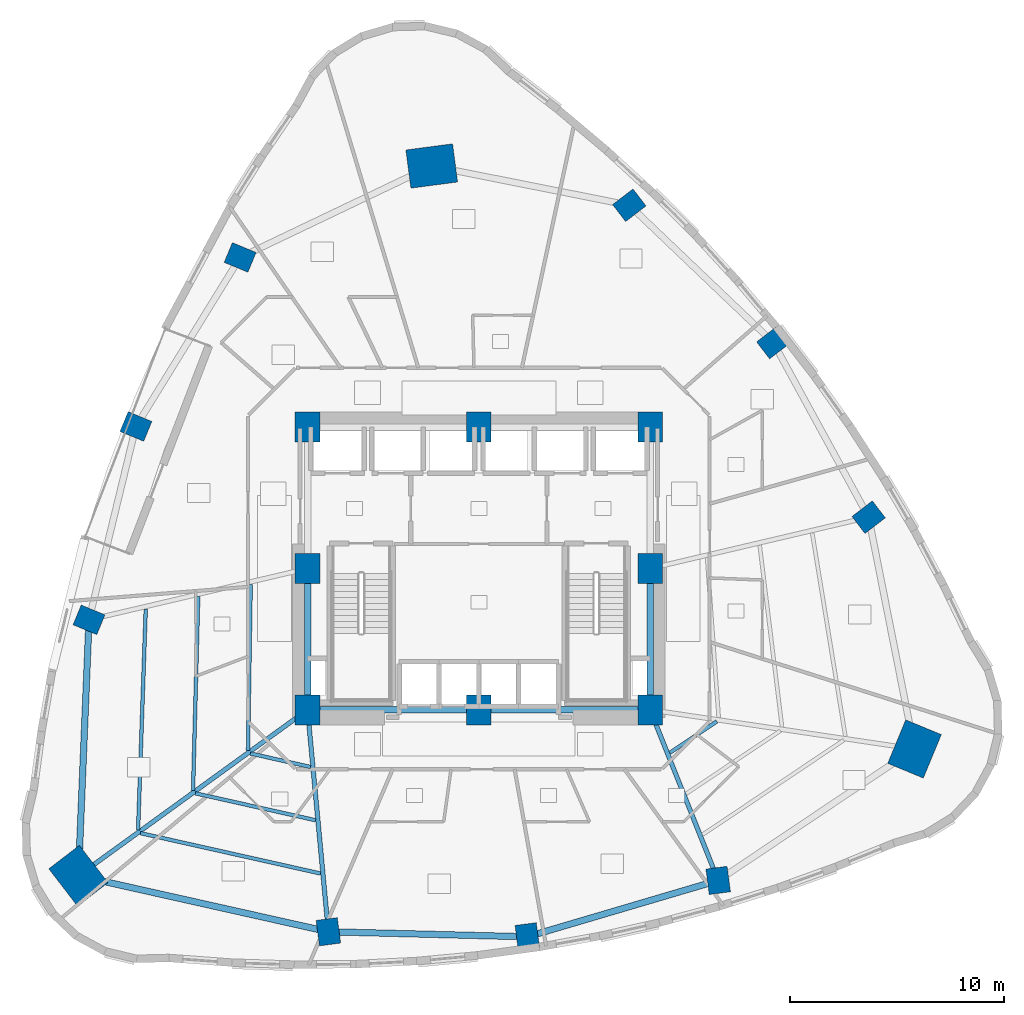
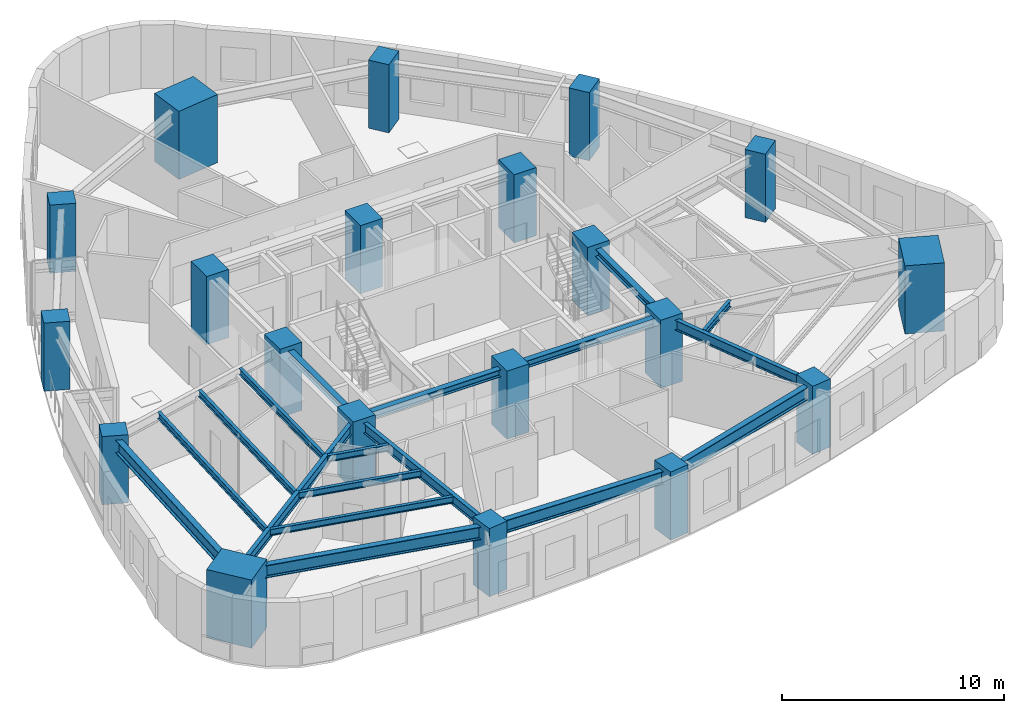
# One storey, part 1 of 12: 20 columns, 18 beams.
"""IFC4 building model written with IfcOpenShell, lengths in metres."""

from ifc_helpers import new_model, si_unit, direction, frame, origin, origin_2d, place, context, subcontext, project, spatial, rectangle, i_section, extrude, material, material_profile, profile_set, type_object, element, save


model = new_model("IFC4")

# Units and contexts
model_context = context("Model", 3, precision=1e-05, world=origin(), true_north=direction((0.0, 1.0)))
body_context = subcontext(model_context, "Body", "Model", "MODEL_VIEW")
ifc_project = project(units=[si_unit("LENGTHUNIT", "METRE"), si_unit("AREAUNIT", "SQUARE_METRE"), si_unit("VOLUMEUNIT", "CUBIC_METRE"), si_unit("PLANEANGLEUNIT", "RADIAN"), si_unit("MASSUNIT", "GRAM", prefix="KILO")], contexts=[model_context])

# Site, building, storey
site_placement = place(None, origin())
site = spatial("IfcSite", under=ifc_project, at=site_placement, CompositionType="ELEMENT")
building_placement = place(site_placement, origin())
building = spatial("IfcBuilding", under=site, at=building_placement, Name="Ndelora Gate Hotel", CompositionType="ELEMENT")
storey_placement = place(building_placement, frame((0.0, 0.0, 68.0)))
storey = spatial("IfcBuildingStorey", under=building, at=storey_placement, Name="L16", CompositionType="ELEMENT", Elevation=68.0)

# Columns
ifc_material_1 = material(Name="Concrete C60/75", Category="concrete")
ifc_material_profile_1 = material_profile(ifc_material_1, rectangle(XDim=1.14990234375, YDim=1.39990234375, at=origin_2d()), Name="RC 1400x1150")
ifc_profile_set_1 = profile_set([ifc_material_profile_1], Name="Concrete C60/75")
column_type_1 = type_object("IfcColumnType", Name="COL-CC-LOW", PredefinedType="COLUMN", material=ifc_profile_set_1)
for number, where, z_axis, x_axis, name in (
    (1, (-8.0, -6.60009765625, 0.0), (0.0, 0.0, 1.0), (1.0, 0.0, 0.0), "L16 Core Column CC1"),
    (2, (0.0, -6.60009765625, 0.0), (0.0, 0.0, 1.0), (1.0, 0.0, 0.0), "L16 Core Column CC2"),
    (3, (8.0, -6.60009765625, 0.0), (0.0, 0.0, 1.0), (1.0, 0.0, 0.0), "L16 Core Column CC3"),
    (4, (8.0, 0.0, 0.0), (0.0, 0.0, 1.0), (1.0, 0.0, 0.0), "L16 Core Column CC4"),
    (5, (8.0, 6.60009765625, 0.0), (0.0, 0.0, 1.0), (1.0, 0.0, 0.0), "L16 Core Column CC5"),
    (6, (0.0, 6.60009765625, 0.0), (0.0, 0.0, 1.0), (1.0, 0.0, 0.0), "L16 Core Column CC6"),
    (7, (-8.0, 6.60009765625, 0.0), (0.0, 0.0, 1.0), (1.0, 0.0, 0.0), "L16 Core Column CC7"),
    (8, (-8.0, 0.0, 0.0), (0.0, 0.0, 1.0), (1.0, 0.0, 0.0), "L16 Core Column CC8"),
):
    element("IfcColumn", number, at=place(storey_placement, frame(where, z_axis=z_axis, x_axis=x_axis)), inside=storey, type_object=column_type_1, Name=name, PredefinedType="COLUMN", context=body_context, shape_type="SweptSolid", body=[
        extrude(rectangle(XDim=1.14990234375, YDim=1.39990234375, at=origin_2d()), origin(), (0.0, 0.0, 1.0), 3.75),
    ])
ifc_material_profile_2 = material_profile(ifc_material_1, rectangle(XDim=1.800048828125, YDim=2.199951171875, at=origin_2d()), Name="RC 2200x1800")
ifc_profile_set_2 = profile_set([ifc_material_profile_2], Name="Concrete C60/75")
column_type_2 = type_object("IfcColumnType", Name="COL-MC-Z1", PredefinedType="COLUMN", material=ifc_profile_set_2)
for number, where, z_axis, x_axis, name in (
    (9, (-2.199951171875, 18.800048828125, 0.0), (0.0, 0.0, 1.0), (-0.13052619222, 0.991444861374, 0.0), "L16 Corner Mega-Column R1"),
    (10, (-18.701904296875, -14.3505859375, 0.0), (0.0, 0.0, 1.0), (0.793353340291, 0.608761429009, 0.0), "L16 Corner Mega-Column R5"),
    (11, (20.35009765625, -8.42919921875, 0.0), (0.0, 0.0, 1.0), (-0.923879532511, 0.382683432365, 0.0), "L16 Corner Mega-Column R9"),
):
    element("IfcColumn", number, at=place(storey_placement, frame(where, z_axis=z_axis, x_axis=x_axis)), inside=storey, type_object=column_type_2, Name=name, PredefinedType="COLUMN", context=body_context, shape_type="SweptSolid", body=[
        extrude(rectangle(XDim=1.800048828125, YDim=2.199951171875, at=origin_2d()), origin(), (0.0, 0.0, 1.0), 3.75),
    ])
ifc_material_profile_3 = material_profile(ifc_material_1, rectangle(XDim=1.0, YDim=1.199951171875, at=origin_2d()), Name="RC 1200x1000")
ifc_profile_set_3 = profile_set([ifc_material_profile_3], Name="Concrete C60/75")
column_type_3 = type_object("IfcColumnType", Name="COL-PT-Z1", PredefinedType="COLUMN", material=ifc_profile_set_3)
for number, where, z_axis, x_axis, name in (
    (12, (-11.1484375, 14.529052734375, 0.0), (0.0, 0.0, 1.0), (0.382683432365, 0.923879532511, 0.0), "L16 Perimeter Tube Column R2"),
    (13, (-16.016845703125, 6.634521484375, 0.0), (0.0, 0.0, 1.0), (0.382683432365, 0.923879532511, 0.0), "L16 Perimeter Tube Column R3"),
    (14, (-18.207275390625, -2.39697265625, 0.0), (0.0, 0.0, 1.0), (0.382683432365, 0.923879532511, 0.0), "L16 Perimeter Tube Column R4"),
    (15, (-7.027587890625, -16.96630859375, 0.0), (0.0, 0.0, 1.0), (0.991444861374, 0.13052619222, 0.0), "L16 Perimeter Tube Column R6"),
    (16, (2.2646484375, -17.20166015625, 0.0), (0.0, 0.0, 1.0), (0.991444861374, 0.13052619222, 0.0), "L16 Perimeter Tube Column R7"),
    (17, (11.179443359375, -14.5693359375, 0.0), (0.0, 0.0, 1.0), (0.991444861374, 0.13052619222, 0.0), "L16 Perimeter Tube Column R8"),
    (18, (18.207275390625, 2.39697265625, 0.0), (0.0, 0.0, 1.0), (-0.608761429009, 0.793353340291, 0.0), "L16 Perimeter Tube Column R10"),
    (19, (13.75390625, 10.5537109375, 0.0), (0.0, 0.0, 1.0), (-0.608761429009, 0.793353340291, 0.0), "L16 Perimeter Tube Column R11"),
    (20, (7.027587890625, 16.96630859375, 0.0), (0.0, 0.0, 1.0), (-0.608761429009, 0.793353340291, 0.0), "L16 Perimeter Tube Column R12"),
):
    element("IfcColumn", number, at=place(storey_placement, frame(where, z_axis=z_axis, x_axis=x_axis)), inside=storey, type_object=column_type_3, Name=name, PredefinedType="COLUMN", context=body_context, shape_type="SweptSolid", body=[
        extrude(rectangle(XDim=1.0, YDim=1.199951171875, at=origin_2d()), origin(), (0.0, 0.0, 1.0), 3.75),
    ])

# Beams
ifc_material_2 = material(Name="Steel S355", Category="steel")
ifc_material_profile_4 = material_profile(ifc_material_2, i_section(OverallWidth=0.300048828125, OverallDepth=0.39990234375, WebThickness=0.013427734375, FlangeThickness=0.02392578125, FilletRadius=0.027099609375, at=origin_2d()), Name="HEB 400")
ifc_profile_set_4 = profile_set([ifc_material_profile_4], Name="Steel S355")
beam_type_1 = type_object("IfcBeamType", Name="BM-CORE-400", PredefinedType="BEAM", material=ifc_profile_set_4)
for number, where, z_axis, x_axis, name in (
    (21, (-8.0, -6.60009765625, 3.300048828125), (0.0, 1.0, 0.0), (-1.0, 0.0, 0.0), "L16 Core Tie Girder CC1-CC8"),
    (22, (8.0, -6.60009765625, 3.300048828125), (0.0, 1.0, 0.0), (-1.0, 0.0, 0.0), "L16 Core Tie Girder CC3-CC4"),
):
    element("IfcBeam", number, at=place(storey_placement, frame(where, z_axis=z_axis, x_axis=x_axis)), inside=storey, type_object=beam_type_1, Name=name, PredefinedType="BEAM", context=body_context, shape_type="SweptSolid", body=[
        extrude(i_section(OverallWidth=0.300048828125, OverallDepth=0.39990234375, WebThickness=0.013427734375, FlangeThickness=0.02392578125, FilletRadius=0.027099609375, at=origin_2d()), origin(), (0.0, 0.0, 1.0), 6.60009765625),
    ])
for number, where, z_axis, x_axis, name in (
    (23, (-8.0, -6.60009765625, 3.300048828125), (1.0, 0.0, 0.0), (0.0, 1.0, 0.0), "L16 Core Tie Girder CC1-CC2"),
    (24, (0.0, -6.60009765625, 3.300048828125), (1.0, 0.0, 0.0), (0.0, 1.0, 0.0), "L16 Core Tie Girder CC2-CC3"),
):
    element("IfcBeam", number, at=place(storey_placement, frame(where, z_axis=z_axis, x_axis=x_axis)), inside=storey, type_object=beam_type_1, Name=name, PredefinedType="BEAM", context=body_context, shape_type="SweptSolid", body=[
        extrude(i_section(OverallWidth=0.300048828125, OverallDepth=0.39990234375, WebThickness=0.013427734375, FlangeThickness=0.02392578125, FilletRadius=0.027099609375, at=origin_2d()), origin(), (0.0, 0.0, 1.0), 8.0),
    ])
ifc_material_profile_5 = material_profile(ifc_material_2, i_section(OverallWidth=0.169921875, OverallDepth=0.360107421875, WebThickness=0.008056640625, FlangeThickness=0.0126953125, FilletRadius=0.01806640625, at=origin_2d()), Name="IPE 360")
ifc_profile_set_5 = profile_set([ifc_material_profile_5], Name="Steel S355")
beam_type_2 = type_object("IfcBeamType", Name="BM-JST-360", PredefinedType="JOIST", material=ifc_profile_set_5)
beam_1_placement = place(storey_placement, frame((-10.65576171875, -0.73828125, 3.320068359375), z_axis=(-0.016071150123, -0.999870850727, 0.0), x_axis=(0.999870850727, -0.016071150123, 0.0)))
element("IfcBeam", 25, at=beam_1_placement, inside=storey, type_object=beam_type_2, Name="L16 Secondary Composite Floor Joist IN-4", PredefinedType="JOIST", context=body_context, shape_type="SweptSolid", body=[
    extrude(i_section(OverallWidth=0.169921875, OverallDepth=0.360107421875, WebThickness=0.008056640625, FlangeThickness=0.0126953125, FilletRadius=0.01806640625, at=origin_2d()), origin(), (0.0, 0.0, 1.0), 7.7626953125),
])
beam_2_placement = place(storey_placement, frame((-13.106689453125, -1.3134765625, 3.320068359375), z_axis=(-0.02665287705, -0.999644748971, 0.0), x_axis=(0.999644748971, -0.02665287705, 0.0)))
element("IfcBeam", 26, at=beam_2_placement, inside=storey, type_object=beam_type_2, Name="L16 Secondary Composite Floor Joist MID-4", PredefinedType="JOIST", context=body_context, shape_type="SweptSolid", body=[
    extrude(i_section(OverallWidth=0.169921875, OverallDepth=0.360107421875, WebThickness=0.008056640625, FlangeThickness=0.0126953125, FilletRadius=0.01806640625, at=origin_2d()), origin(), (0.0, 0.0, 1.0), 9.050048828125),
])
beam_3_placement = place(storey_placement, frame((-15.557373046875, -1.888671875, 3.320068359375), z_axis=(-0.034620883261, -0.999400517532, 0.0), x_axis=(0.999400517532, -0.034620883261, 0.0)))
element("IfcBeam", 27, at=beam_3_placement, inside=storey, type_object=beam_type_2, Name="L16 Secondary Composite Floor Joist OUT-4", PredefinedType="JOIST", context=body_context, shape_type="SweptSolid", body=[
    extrude(i_section(OverallWidth=0.169921875, OverallDepth=0.360107421875, WebThickness=0.008056640625, FlangeThickness=0.0126953125, FilletRadius=0.01806640625, at=origin_2d()), origin(), (0.0, 0.0, 1.0), 10.337890625),
])
beam_4_placement = place(storey_placement, frame((-10.67041015625, -8.640380859375, 3.320068359375), z_axis=(0.975820751938, -0.218572322325, 0.0), x_axis=(0.218572322325, 0.975820751938, 0.0)))
element("IfcBeam", 28, at=beam_4_placement, inside=storey, type_object=beam_type_2, Name="L16 Secondary Composite Floor Joist IN-5", PredefinedType="JOIST", context=body_context, shape_type="SweptSolid", body=[
    extrude(i_section(OverallWidth=0.169921875, OverallDepth=0.360107421875, WebThickness=0.008056640625, FlangeThickness=0.0126953125, FilletRadius=0.01806640625, at=origin_2d()), origin(), (0.0, 0.0, 1.0), 2.880615234375),
])
beam_5_placement = place(storey_placement, frame((-13.23876953125, -10.50048828125, 3.320068359375), z_axis=(0.975805037012, -0.218642470123, 0.0), x_axis=(0.218642470123, 0.975805037012, 0.0)))
element("IfcBeam", 29, at=beam_5_placement, inside=storey, type_object=beam_type_2, Name="L16 Secondary Composite Floor Joist MID-5", PredefinedType="JOIST", context=body_context, shape_type="SweptSolid", body=[
    extrude(i_section(OverallWidth=0.169921875, OverallDepth=0.360107421875, WebThickness=0.008056640625, FlangeThickness=0.0126953125, FilletRadius=0.01806640625, at=origin_2d()), origin(), (0.0, 0.0, 1.0), 5.751708984375),
])
beam_6_placement = place(storey_placement, frame((-15.80712890625, -12.360595703125, 3.320068359375), z_axis=(0.975802493229, -0.218653822759, 0.0), x_axis=(0.218653822759, 0.975802493229, 0.0)))
element("IfcBeam", 30, at=beam_6_placement, inside=storey, type_object=beam_type_2, Name="L16 Secondary Composite Floor Joist OUT-5", PredefinedType="JOIST", context=body_context, shape_type="SweptSolid", body=[
    extrude(i_section(OverallWidth=0.169921875, OverallDepth=0.360107421875, WebThickness=0.008056640625, FlangeThickness=0.0126953125, FilletRadius=0.01806640625, at=origin_2d()), origin(), (0.0, 0.0, 1.0), 8.623291015625),
])
beam_7_placement = place(storey_placement, frame((8.922119140625, -8.608154296875, 3.320068359375), z_axis=(0.830952990267, 0.556342635402, 0.0), x_axis=(-0.556342635402, 0.830952990267, 0.0)))
element("IfcBeam", 31, at=beam_7_placement, inside=storey, type_object=beam_type_2, Name="L16 Secondary Composite Floor Joist IN-8", PredefinedType="JOIST", context=body_context, shape_type="SweptSolid", body=[
    extrude(i_section(OverallWidth=0.169921875, OverallDepth=0.360107421875, WebThickness=0.008056640625, FlangeThickness=0.0126953125, FilletRadius=0.01806640625, at=origin_2d()), origin(), (0.0, 0.0, 1.0), 2.6396484375),
])
ifc_material_profile_6 = material_profile(ifc_material_2, i_section(OverallWidth=0.2099609375, OverallDepth=0.550048828125, WebThickness=0.010986328125, FlangeThickness=0.01708984375, FilletRadius=0.02392578125, at=origin_2d()), Name="IPE 550")
ifc_profile_set_6 = profile_set([ifc_material_profile_6], Name="Steel S355")
beam_type_3 = type_object("IfcBeamType", Name="BM-RAD-550", PredefinedType="BEAM", material=ifc_profile_set_6)
beam_8_placement = place(storey_placement, frame((-8.0, -6.60009765625, 3.22509765625), z_axis=(-0.809912157619, -0.586551188679, 0.0), x_axis=(0.586551188679, -0.809912157619, 0.0)))
element("IfcBeam", 32, at=beam_8_placement, inside=storey, type_object=beam_type_3, Name="L16 Radial Floor Girder 5", PredefinedType="BEAM", context=body_context, shape_type="SweptSolid", body=[
    extrude(i_section(OverallWidth=0.2099609375, OverallDepth=0.550048828125, WebThickness=0.010986328125, FlangeThickness=0.01708984375, FilletRadius=0.02392578125, at=origin_2d()), origin(), (0.0, 0.0, 1.0), 13.213623046875),
])
beam_9_placement = place(storey_placement, frame((-8.0, -6.60009765625, 3.22509765625), z_axis=(0.093395913855, -0.995629049031, 0.0), x_axis=(0.995629049031, 0.093395913855, 0.0)))
element("IfcBeam", 33, at=beam_9_placement, inside=storey, type_object=beam_type_3, Name="L16 Radial Floor Girder 6", PredefinedType="BEAM", context=body_context, shape_type="SweptSolid", body=[
    extrude(i_section(OverallWidth=0.2099609375, OverallDepth=0.550048828125, WebThickness=0.010986328125, FlangeThickness=0.01708984375, FilletRadius=0.02392578125, at=origin_2d()), origin(), (0.0, 0.0, 1.0), 10.41162109375),
])
beam_10_placement = place(storey_placement, frame((8.0, -6.60009765625, 3.22509765625), z_axis=(0.37056142644, -0.92880796144, 0.0), x_axis=(0.92880796144, 0.37056142644, 0.0)))
element("IfcBeam", 34, at=beam_10_placement, inside=storey, type_object=beam_type_3, Name="L16 Radial Floor Girder 8", PredefinedType="BEAM", context=body_context, shape_type="SweptSolid", body=[
    extrude(i_section(OverallWidth=0.2099609375, OverallDepth=0.550048828125, WebThickness=0.010986328125, FlangeThickness=0.01708984375, FilletRadius=0.02392578125, at=origin_2d()), origin(), (0.0, 0.0, 1.0), 8.580078125),
])
ifc_material_profile_7 = material_profile(ifc_material_2, i_section(OverallWidth=0.300048828125, OverallDepth=0.699951171875, WebThickness=0.01708984375, FlangeThickness=0.031982421875, FilletRadius=0.027099609375, at=origin_2d()), Name="HEB 700")
ifc_profile_set_7 = profile_set([ifc_material_profile_7], Name="Steel S355")
beam_type_4 = type_object("IfcBeamType", Name="BM-RING-700", PredefinedType="SPANDREL", material=ifc_profile_set_7)
for number, where, z_axis, x_axis, name in (
    (35, (-18.207275390625, -2.39697265625, 3.14990234375), (-0.041343648978, -0.99914498582, 0.0), (0.99914498582, -0.041343648978, 0.0), "L16 Perimeter Spandrel Girder 4"),
    (36, (-18.701904296875, -14.3505859375, 3.14990234375), (0.97580624377, -0.218637084273, 0.0), (0.218637084273, 0.97580624377, 0.0), "L16 Perimeter Spandrel Girder 5"),
):
    element("IfcBeam", number, at=place(storey_placement, frame(where, z_axis=z_axis, x_axis=x_axis)), inside=storey, type_object=beam_type_4, Name=name, PredefinedType="SPANDREL", context=body_context, shape_type="SweptSolid", body=[
        extrude(i_section(OverallWidth=0.300048828125, OverallDepth=0.699951171875, WebThickness=0.01708984375, FlangeThickness=0.031982421875, FilletRadius=0.027099609375, at=origin_2d()), origin(), (0.0, 0.0, 1.0), 11.9638671875),
    ])
beam_11_placement = place(storey_placement, frame((-7.027587890625, -16.96630859375, 3.14990234375), z_axis=(0.999679406439, -0.025319643409, 0.0), x_axis=(0.025319643409, 0.999679406439, 0.0)))
element("IfcBeam", 37, at=beam_11_placement, inside=storey, type_object=beam_type_4, Name="L16 Perimeter Spandrel Girder 6", PredefinedType="SPANDREL", context=body_context, shape_type="SweptSolid", body=[
    extrude(i_section(OverallWidth=0.300048828125, OverallDepth=0.699951171875, WebThickness=0.01708984375, FlangeThickness=0.031982421875, FilletRadius=0.027099609375, at=origin_2d()), origin(), (0.0, 0.0, 1.0), 9.295166015625),
])
beam_12_placement = place(storey_placement, frame((2.2646484375, -17.20166015625, 3.14990234375), z_axis=(0.959064248316, 0.283188572514, 0.0), x_axis=(-0.283188572514, 0.959064248316, 0.0)))
element("IfcBeam", 38, at=beam_12_placement, inside=storey, type_object=beam_type_4, Name="L16 Perimeter Spandrel Girder 7", PredefinedType="SPANDREL", context=body_context, shape_type="SweptSolid", body=[
    extrude(i_section(OverallWidth=0.300048828125, OverallDepth=0.699951171875, WebThickness=0.01708984375, FlangeThickness=0.031982421875, FilletRadius=0.027099609375, at=origin_2d()), origin(), (0.0, 0.0, 1.0), 9.29541015625),
])

save(model, "model.ifc")
